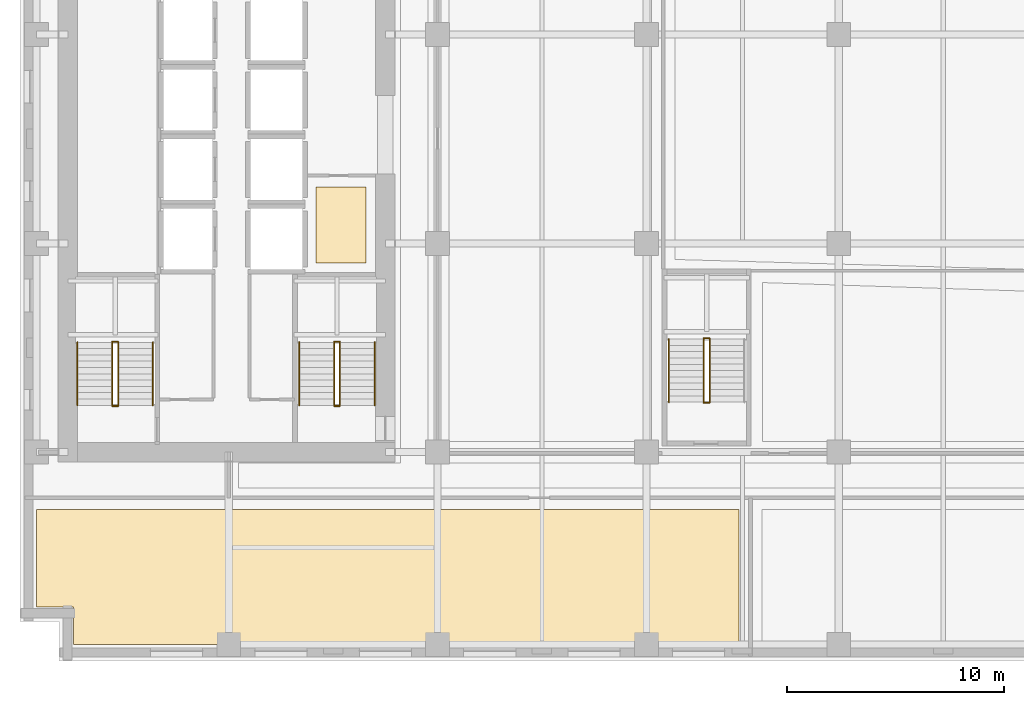
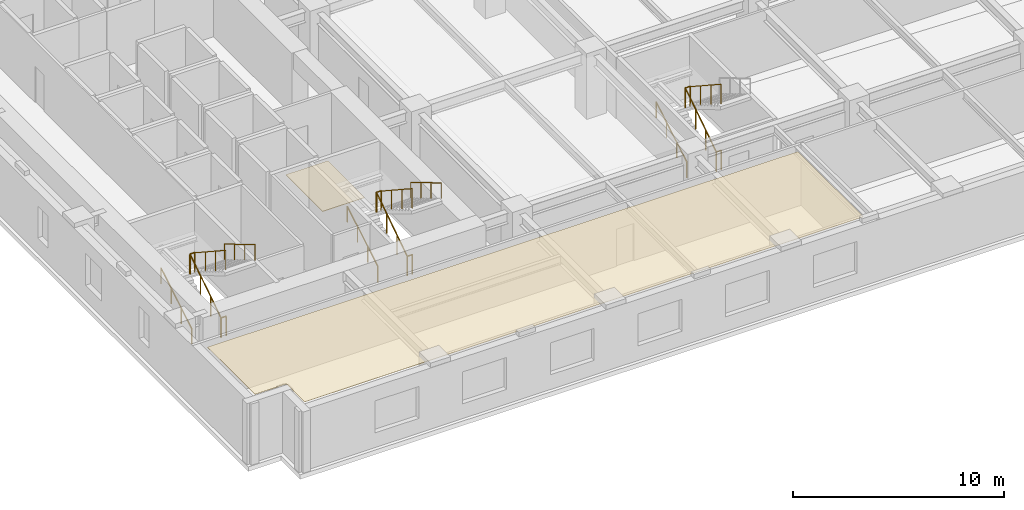
# One storey, part 11 of 15: 17 railings, 2 coverings.
"""IFC4 building model written with IfcOpenShell, lengths in metres."""

import ifcopenshell
import ifcopenshell.guid

model = None  # the IFC model being written
_history = None  # IfcOwnerHistory: only IFC2X3 demands one
_inside = {}  # id of a spatial element -> (the spatial element, [elements in it])
_under = {}  # id of a project, library or spatial element -> (it, [spatial elements below it])
_declared = {}  # id of a project -> (the project, [libraries it declares])
_typed = {}  # id of a type object -> (the type object, [elements of that type])
_made_of = {}  # id of a material, layer set ... -> (it, [elements and type objects made of it])


def new_model(schema):
    """Start an empty IFC model of exactly this schema.

    Asked for "IFC4X3", IfcOpenShell would pick the latest addendum, in which some entities
    have other attributes; the version numbers below select the first issue.
    IFC2X3 requires an IfcOwnerHistory on every rooted entity: one is made here for all.
    """
    global model, _history
    if schema == "IFC4X3":
        model = ifcopenshell.file(schema_version=(4, 3, 0, 0))
    else:
        model = ifcopenshell.file(schema=schema)
    _inside.clear()
    _under.clear()
    _declared.clear()
    _typed.clear()
    _made_of.clear()
    _history = None
    if model.schema == "IFC2X3":
        org = make("IfcOrganization", Name="unknown")
        user = make(
            "IfcPersonAndOrganization",
            ThePerson=make("IfcPerson", FamilyName="unknown"),
            TheOrganization=org,
        )
        app = make(
            "IfcApplication",
            ApplicationDeveloper=org,
            Version="unknown",
            ApplicationFullName="unknown",
            ApplicationIdentifier="unknown",
        )
        _history = make(
            "IfcOwnerHistory",
            OwningUser=user,
            OwningApplication=app,
            ChangeAction="ADDED",
            CreationDate=0,
        )
    return model


def make(cls, **values):
    """One entity of the class cls with the attributes given. An attribute that is None is left unset."""
    return model.create_entity(
        cls, **{name: value for name, value in values.items() if value is not None}
    )


def rooted(cls, **values):
    """An entity with a GlobalId (a new one), such as an element, a storey or a relation."""
    return make(cls, GlobalId=ifcopenshell.guid.new(), OwnerHistory=_history, **values)


def si_unit(unit_type, name, prefix=None):
    """IfcSIUnit, for example si_unit("LENGTHUNIT", "METRE", prefix="MILLI")."""
    return make("IfcSIUnit", UnitType=unit_type, Prefix=prefix, Name=name)


def assignment(units):
    """IfcUnitAssignment: the units of a project."""
    return None if units is None else make("IfcUnitAssignment", Units=units)


def point(xyz):
    """IfcCartesianPoint."""
    return None if xyz is None else make("IfcCartesianPoint", Coordinates=xyz)


def direction(xyz):
    """IfcDirection."""
    return None if xyz is None else make("IfcDirection", DirectionRatios=xyz)


def frame(location, z_axis=None, x_axis=None):
    """IfcAxis2Placement3D, a coordinate frame: its origin and axes. An axis left out is left unset."""
    return make(
        "IfcAxis2Placement3D",
        Location=point(location),
        Axis=direction(z_axis),
        RefDirection=direction(x_axis),
    )


def frame_2d(location, x_axis=None):
    """IfcAxis2Placement2D, a coordinate frame in the plane: its origin and x axis."""
    return make(
        "IfcAxis2Placement2D", Location=point(location), RefDirection=direction(x_axis)
    )


def origin():
    """The frame at (0, 0, 0) with its axes left unset."""
    return frame((0.0, 0.0, 0.0))


def origin_2d():
    """The frame at (0, 0) in the plane with its x axis left unset."""
    return frame_2d((0.0, 0.0))


def place(relative_to, where):
    """IfcLocalPlacement: puts the frame where relative to a parent placement (None: the world)."""
    return make(
        "IfcLocalPlacement", PlacementRelTo=relative_to, RelativePlacement=where
    )


def context(
    kind, dimensions, precision=None, world=None, true_north=None, identifier=None
):
    """IfcGeometricRepresentationContext, for example the 3D "Model" context."""
    return make(
        "IfcGeometricRepresentationContext",
        ContextIdentifier=identifier,
        ContextType=kind,
        CoordinateSpaceDimension=dimensions,
        Precision=precision,
        WorldCoordinateSystem=world,
        TrueNorth=true_north,
    )


def subcontext(parent, identifier, kind, view, scale=None):
    """IfcGeometricRepresentationSubContext, for example "Body" below "Model"."""
    return make(
        "IfcGeometricRepresentationSubContext",
        ContextIdentifier=identifier,
        ContextType=kind,
        ParentContext=parent,
        TargetScale=scale,
        TargetView=view,
    )


def project(units=None, contexts=None):
    """IfcProject with its units and contexts."""
    return rooted(
        "IfcProject",
        Name="project",
        RepresentationContexts=contexts,
        UnitsInContext=assignment(units),
    )


def spatial(cls, under=None, at=None, **own):
    """A site, building, storey or space (cls), placed at a placement, below another one or the project."""
    s = rooted(cls, ObjectPlacement=at, **own)
    if under is not None:
        _under.setdefault(under.id(), (under, []))[1].append(s)
    return s


def polyline(points):
    """IfcPolyline through the points."""
    return make("IfcPolyline", Points=[point(p) for p in points])


def profile(cls, at=None, kind="AREA", **sizes):
    """A parametric profile (cls). Its sizes go by their IFC names, for example OverallWidth=200.0."""
    return make(cls, ProfileType=kind, Position=at, **sizes)


def circle(**sizes):
    """IfcCircleProfileDef."""
    return profile("IfcCircleProfileDef", **sizes)


def outline(outer, holes=None, kind="AREA"):
    """IfcArbitraryClosedProfileDef: a profile drawn as a closed curve; with holes, ...WithVoids."""
    if holes is None:
        return make("IfcArbitraryClosedProfileDef", ProfileType=kind, OuterCurve=outer)
    return make(
        "IfcArbitraryProfileDefWithVoids",
        ProfileType=kind,
        OuterCurve=outer,
        InnerCurves=holes,
    )


def extrude(swept, where, along, depth):
    """IfcExtrudedAreaSolid: the profile swept, set in the frame where, extruded along a direction by depth."""
    return make(
        "IfcExtrudedAreaSolid",
        SweptArea=swept,
        Position=where,
        ExtrudedDirection=direction(along),
        Depth=depth,
    )


def shape(context_of_items, identifier, shape_type, items):
    """IfcShapeRepresentation: the items that make up one representation, for example the "Body"."""
    return make(
        "IfcShapeRepresentation",
        ContextOfItems=context_of_items,
        RepresentationIdentifier=identifier,
        RepresentationType=shape_type,
        Items=items,
    )


def material(Name=None, Category=None):
    """IfcMaterial."""
    return make("IfcMaterial", Name=Name, Category=Category)


def layer(
    of_material, thickness, ventilated=None, Name=None, Category=None, Priority=None
):
    """IfcMaterialLayer: one layer of a wall or slab, of a material (None: an air gap)."""
    return make(
        "IfcMaterialLayer",
        Material=of_material,
        LayerThickness=thickness,
        IsVentilated=ventilated,
        Name=Name,
        Category=Category,
        Priority=Priority,
    )


def layer_set(layers, Name=None):
    """IfcMaterialLayerSet."""
    return make("IfcMaterialLayerSet", MaterialLayers=layers, LayerSetName=Name)


def made_of(thing, what):
    """Note that an element or type object is made of a material, layer set ...; save() writes the relation."""
    if what is not None:
        _made_of.setdefault(what.id(), (what, []))[1].append(thing)
    return thing


def type_object(cls, material=None, **own):
    """A type object (cls), such as IfcWallType, which elements share."""
    return made_of(rooted(cls, **own), material)


def element(
    cls,
    number,
    at=None,
    inside=None,
    cuts=None,
    type_object=None,
    material=None,
    context=None,
    identifier="Body",
    shape_type=None,
    held_by="IfcProductDefinitionShape",
    body=None,
    shapes=None,
    **own,
):
    """One element of the class cls, such as IfcWall. Its Tag is "e" and its number.

    at: its placement. inside: the storey or other place that contains it. cuts: it is an
    opening in that element (IfcRelVoidsElement). A single representation is given by context,
    identifier, shape_type and body (its items); several are given by shapes. held_by: the class
    of the entity that holds the representations. save() writes the other relations.
    """
    e = rooted(cls, Tag="e%d" % number, ObjectPlacement=at, **own)
    if body is not None:
        shapes = [shape(context, identifier, shape_type, body)]
    if shapes is not None:
        e.Representation = make(held_by, Representations=shapes)
    if inside is not None:
        _inside.setdefault(inside.id(), (inside, []))[1].append(e)
    if cuts is not None:
        rooted(
            "IfcRelVoidsElement", RelatingBuildingElement=cuts, RelatedOpeningElement=e
        )
    if type_object is not None:
        _typed.setdefault(type_object.id(), (type_object, []))[1].append(e)
    return made_of(e, material)


def aggregate(whole, parts):
    """IfcRelAggregates: a whole, such as a stair, and the parts it consists of."""
    return rooted("IfcRelAggregates", RelatingObject=whole, RelatedObjects=parts)


def save(model, path):
    """Write the relations noted so far, then the file.

    IfcRelAggregates (storeys below a building ...), IfcRelContainedInSpatialStructure (elements
    in a storey), IfcRelDefinesByType, IfcRelAssociatesMaterial and IfcRelDeclares: one each for
    every whole, place, type object, material and project.
    """
    for whole, parts in _under.values():
        aggregate(whole, parts)
    for where, things in _inside.values():
        rooted(
            "IfcRelContainedInSpatialStructure",
            RelatedElements=things,
            RelatingStructure=where,
        )
    for kind, things in _typed.values():
        rooted("IfcRelDefinesByType", RelatedObjects=things, RelatingType=kind)
    for what, things in _made_of.values():
        rooted("IfcRelAssociatesMaterial", RelatedObjects=things, RelatingMaterial=what)
    for by, libraries in _declared.values():
        rooted("IfcRelDeclares", RelatingContext=by, RelatedDefinitions=libraries)
    model.write(path)


model = new_model("IFC4")

# Units and contexts
model_context = context("Model", 3, precision=1e-05, world=origin(), true_north=direction((0.0, 1.0)))
body_context = subcontext(model_context, "Body", "Model", "MODEL_VIEW")
ifc_project = project(units=[si_unit("LENGTHUNIT", "METRE"), si_unit("AREAUNIT", "SQUARE_METRE"), si_unit("VOLUMEUNIT", "CUBIC_METRE"), si_unit("PLANEANGLEUNIT", "RADIAN"), si_unit("MASSUNIT", "GRAM", prefix="KILO")], contexts=[model_context])

# Site, building, storey
site_placement = place(None, origin())
site = spatial("IfcSite", under=ifc_project, at=site_placement, CompositionType="ELEMENT")
building_placement = place(site_placement, origin())
building = spatial("IfcBuilding", under=site, at=building_placement, Name="Norrvale University Quadrangle", CompositionType="ELEMENT")
storey_placement = place(building_placement, frame((0.0, 0.0, 88.800048828125)))
storey = spatial("IfcBuildingStorey", under=building, at=storey_placement, Name="L22", CompositionType="ELEMENT", Elevation=88.800048828125)

# Coverings
ifc_material_1 = material(Name="Perforated Acoustic Mineral Ceiling")
ifc_layer_1 = layer(ifc_material_1, 0.02490234375, Name="Perforated Acoustic Mineral Ceiling")
ifc_layer_set_1 = layer_set([ifc_layer_1], Name="Perforated Acoustic Mineral Ceiling")
covering_type_1 = type_object("IfcCoveringType", Name="Covering Acoustic Ceiling 25", PredefinedType="CEILING", material=ifc_layer_set_1)
covering_1_placement = place(storey_placement, frame((0.0, 0.0, 3.514892578125)))
element("IfcCovering", 1, at=covering_1_placement, inside=storey, type_object=covering_type_1, Name="Acoustic Ceiling RM-L22-S01", PredefinedType="CEILING", context=body_context, shape_type="SweptSolid", body=[
    extrude(outline(polyline([(0.75, 6.969970703125), (33.070068359375, 6.969970703125), (33.070068359375, 0.75), (2.469970703125, 0.75), (2.469970703125, 2.469970703125), (0.75, 2.469970703125), (0.75, 6.969970703125)])), origin(), (0.0, 0.0, 1.0), 0.025146484375),
])
ifc_material_2 = material(Name="Polished Terrazzo Flooring")
ifc_layer_2 = layer(ifc_material_2, 0.02490234375, Name="Polished Terrazzo Flooring")
ifc_layer_set_2 = layer_set([ifc_layer_2], Name="Polished Terrazzo Flooring")
covering_type_2 = type_object("IfcCoveringType", Name="Covering Terrazzo Floor 30", PredefinedType="FLOORING", material=ifc_layer_set_2)
covering_2_placement = place(storey_placement, origin())
element("IfcCovering", 2, at=covering_2_placement, inside=storey, type_object=covering_type_2, Name="Terrazzo Flooring RM-L22-JAN", PredefinedType="FLOORING", context=body_context, shape_type="SweptSolid", body=[
    extrude(outline(polyline([(13.60009765625, 18.300048828125), (13.60009765625, 21.800048828125), (15.89990234375, 21.800048828125), (15.89990234375, 18.300048828125), (13.60009765625, 18.300048828125)])), origin(), (0.0, 0.0, 1.0), 0.02490234375),
])

# Railings
ifc_material_3 = material(Name="Steel 350W Painted Balustrade", Category="steel")
railing_type_1 = type_object("IfcRailingType", Name="Railing Stair Guard 1100", PredefinedType="GUARDRAIL", material=ifc_material_3)
for number, where, name in (
    (3, (4.239990234375, 11.719970703125, 0.0), "Stair Floor Well Guard ST-01 L22"),
    (4, (4.239990234375, 14.679931640625, 1.89990234375), "Stair Mid-Landing Slot Guard ST-01 L22"),
):
    element("IfcRailing", number, at=place(storey_placement, frame(where)), inside=storey, type_object=railing_type_1, Name=name, PredefinedType="GUARDRAIL", context=body_context, shape_type="SweptSolid", body=[
        extrude(circle(Radius=0.02392578125, at=origin_2d()), frame((0.0, 0.0, 1.1259765625), z_axis=(1.0, 0.0, 0.0), x_axis=(0.0, 1.0, 0.0)), (0.0, 0.0, 1.0), 0.27001953125),
        extrude(circle(Radius=0.02099609375, at=origin_2d()), origin(), (0.0, 0.0, 1.0), 1.101806640625),
        extrude(circle(Radius=0.02099609375, at=origin_2d()), frame((0.27001953125, 0.0, 0.0)), (0.0, 0.0, 1.0), 1.101806640625),
    ])
railing_1_placement = place(storey_placement, frame((4.239990234375, 11.75, 0.0)))
element("IfcRailing", 5, at=railing_1_placement, inside=storey, type_object=railing_type_1, Name="Stair Lower Flight Inner Guard ST-01 L22", PredefinedType="GUARDRAIL", context=body_context, shape_type="SweptSolid", body=[
    extrude(circle(Radius=0.02392578125, at=origin_2d()), frame((0.0, 0.0, 1.1259765625), z_axis=(0.0, 0.836465582154, 0.548019461216), x_axis=(-1.0, 0.0, 0.0)), (0.0, 0.0, 1.0), 3.466796875),
    extrude(circle(Radius=0.02099609375, at=origin_2d()), origin(), (0.0, 0.0, 1.0), 1.101806640625),
    extrude(circle(Radius=0.02099609375, at=origin_2d()), frame((0.0, 0.966552734375, 0.63330078125)), (0.0, 0.0, 1.0), 1.101806640625),
    extrude(circle(Radius=0.02099609375, at=origin_2d()), frame((0.0, 1.933349609375, 1.2666015625)), (0.0, 0.0, 1.0), 1.101806640625),
    extrude(circle(Radius=0.02099609375, at=origin_2d()), frame((0.0, 2.89990234375, 1.89990234375)), (0.0, 0.0, 1.0), 1.101806640625),
])
railing_2_placement = place(storey_placement, frame((4.510009765625, 14.64990234375, 1.89990234375)))
element("IfcRailing", 6, at=railing_2_placement, inside=storey, type_object=railing_type_1, Name="Stair Upper Flight Inner Guard ST-01 L22", PredefinedType="GUARDRAIL", context=body_context, shape_type="SweptSolid", body=[
    extrude(circle(Radius=0.02392578125, at=origin_2d()), frame((0.0, 0.0, 1.1259765625), z_axis=(0.0, -0.836433300813, 0.548068730445), x_axis=(1.0, 0.0, 0.0)), (0.0, 0.0, 1.0), 3.467041015625),
    extrude(circle(Radius=0.02099609375, at=origin_2d()), origin(), (0.0, 0.0, 1.0), 1.101806640625),
    extrude(circle(Radius=0.02099609375, at=origin_2d()), frame((0.0, -0.966552734375, 0.63330078125)), (0.0, 0.0, 1.0), 1.101806640625),
    extrude(circle(Radius=0.02099609375, at=origin_2d()), frame((0.0, -1.933349609375, 1.266845703125)), (0.0, 0.0, 1.0), 1.101806640625),
    extrude(circle(Radius=0.02099609375, at=origin_2d()), frame((0.0, -2.89990234375, 1.900146484375)), (0.0, 0.0, 1.0), 1.101806640625),
])
for number, where, name in (
    (7, (14.43994140625, 11.719970703125, 0.0), "Stair Floor Well Guard ST-03 L22"),
    (8, (14.43994140625, 14.679931640625, 1.89990234375), "Stair Mid-Landing Slot Guard ST-03 L22"),
):
    element("IfcRailing", number, at=place(storey_placement, frame(where)), inside=storey, type_object=railing_type_1, Name=name, PredefinedType="GUARDRAIL", context=body_context, shape_type="SweptSolid", body=[
        extrude(circle(Radius=0.02392578125, at=origin_2d()), frame((0.0, 0.0, 1.1259765625), z_axis=(1.0, 0.0, 0.0), x_axis=(0.0, 1.0, 0.0)), (0.0, 0.0, 1.0), 0.27001953125),
        extrude(circle(Radius=0.02099609375, at=origin_2d()), origin(), (0.0, 0.0, 1.0), 1.101806640625),
        extrude(circle(Radius=0.02099609375, at=origin_2d()), frame((0.27001953125, 0.0, 0.0)), (0.0, 0.0, 1.0), 1.101806640625),
    ])
railing_3_placement = place(storey_placement, frame((14.43994140625, 11.75, 0.0)))
element("IfcRailing", 9, at=railing_3_placement, inside=storey, type_object=railing_type_1, Name="Stair Lower Flight Inner Guard ST-03 L22", PredefinedType="GUARDRAIL", context=body_context, shape_type="SweptSolid", body=[
    extrude(circle(Radius=0.02392578125, at=origin_2d()), frame((0.0, 0.0, 1.1259765625), z_axis=(0.0, 0.836465582154, 0.548019461216), x_axis=(-1.0, 0.0, 0.0)), (0.0, 0.0, 1.0), 3.466796875),
    extrude(circle(Radius=0.02099609375, at=origin_2d()), origin(), (0.0, 0.0, 1.0), 1.101806640625),
    extrude(circle(Radius=0.02099609375, at=origin_2d()), frame((0.0, 0.966552734375, 0.63330078125)), (0.0, 0.0, 1.0), 1.101806640625),
    extrude(circle(Radius=0.02099609375, at=origin_2d()), frame((0.0, 1.933349609375, 1.2666015625)), (0.0, 0.0, 1.0), 1.101806640625),
    extrude(circle(Radius=0.02099609375, at=origin_2d()), frame((0.0, 2.89990234375, 1.89990234375)), (0.0, 0.0, 1.0), 1.101806640625),
])
railing_4_placement = place(storey_placement, frame((14.7099609375, 14.64990234375, 1.89990234375)))
element("IfcRailing", 10, at=railing_4_placement, inside=storey, type_object=railing_type_1, Name="Stair Upper Flight Inner Guard ST-03 L22", PredefinedType="GUARDRAIL", context=body_context, shape_type="SweptSolid", body=[
    extrude(circle(Radius=0.02392578125, at=origin_2d()), frame((0.0, 0.0, 1.1259765625), z_axis=(0.0, -0.836433300813, 0.548068730445), x_axis=(1.0, 0.0, 0.0)), (0.0, 0.0, 1.0), 3.467041015625),
    extrude(circle(Radius=0.02099609375, at=origin_2d()), origin(), (0.0, 0.0, 1.0), 1.101806640625),
    extrude(circle(Radius=0.02099609375, at=origin_2d()), frame((0.0, -0.966552734375, 0.63330078125)), (0.0, 0.0, 1.0), 1.101806640625),
    extrude(circle(Radius=0.02099609375, at=origin_2d()), frame((0.0, -1.933349609375, 1.266845703125)), (0.0, 0.0, 1.0), 1.101806640625),
    extrude(circle(Radius=0.02099609375, at=origin_2d()), frame((0.0, -2.89990234375, 1.900146484375)), (0.0, 0.0, 1.0), 1.101806640625),
])
for number, where, name in (
    (11, (31.43994140625, 11.8701171875, 0.0), "Stair Floor Well Guard ST-04 L22"),
    (12, (31.43994140625, 14.830078125, 1.89990234375), "Stair Mid-Landing Slot Guard ST-04 L22"),
):
    element("IfcRailing", number, at=place(storey_placement, frame(where)), inside=storey, type_object=railing_type_1, Name=name, PredefinedType="GUARDRAIL", context=body_context, shape_type="SweptSolid", body=[
        extrude(circle(Radius=0.02392578125, at=origin_2d()), frame((0.0, 0.0, 1.1259765625), z_axis=(1.0, 0.0, 0.0), x_axis=(0.0, 1.0, 0.0)), (0.0, 0.0, 1.0), 0.27001953125),
        extrude(circle(Radius=0.02099609375, at=origin_2d()), origin(), (0.0, 0.0, 1.0), 1.101806640625),
        extrude(circle(Radius=0.02099609375, at=origin_2d()), frame((0.27001953125, 0.0, 0.0)), (0.0, 0.0, 1.0), 1.101806640625),
    ])
railing_5_placement = place(storey_placement, frame((31.43994140625, 11.89990234375, 0.0)))
element("IfcRailing", 13, at=railing_5_placement, inside=storey, type_object=railing_type_1, Name="Stair Lower Flight Inner Guard ST-04 L22", PredefinedType="GUARDRAIL", context=body_context, shape_type="SweptSolid", body=[
    extrude(circle(Radius=0.02392578125, at=origin_2d()), frame((0.0, 0.0, 1.1259765625), z_axis=(0.0, 0.836486729621, 0.547987181573), x_axis=(-1.0, 0.0, 0.0)), (0.0, 0.0, 1.0), 3.467041015625),
    extrude(circle(Radius=0.02099609375, at=origin_2d()), origin(), (0.0, 0.0, 1.0), 1.101806640625),
    extrude(circle(Radius=0.02099609375, at=origin_2d()), frame((0.0, 0.966796875, 0.63330078125)), (0.0, 0.0, 1.0), 1.101806640625),
    extrude(circle(Radius=0.02099609375, at=origin_2d()), frame((0.0, 1.933349609375, 1.2666015625)), (0.0, 0.0, 1.0), 1.101806640625),
    extrude(circle(Radius=0.02099609375, at=origin_2d()), frame((0.0, 2.900146484375, 1.89990234375)), (0.0, 0.0, 1.0), 1.101806640625),
])
railing_6_placement = place(storey_placement, frame((31.7099609375, 14.800048828125, 1.89990234375)))
element("IfcRailing", 14, at=railing_6_placement, inside=storey, type_object=railing_type_1, Name="Stair Upper Flight Inner Guard ST-04 L22", PredefinedType="GUARDRAIL", context=body_context, shape_type="SweptSolid", body=[
    extrude(circle(Radius=0.02392578125, at=origin_2d()), frame((0.0, 0.0, 1.1259765625), z_axis=(0.0, -0.836454451266, 0.548036450392), x_axis=(1.0, 0.0, 0.0)), (0.0, 0.0, 1.0), 3.46728515625),
    extrude(circle(Radius=0.02099609375, at=origin_2d()), origin(), (0.0, 0.0, 1.0), 1.101806640625),
    extrude(circle(Radius=0.02099609375, at=origin_2d()), frame((0.0, -0.966796875, 0.63330078125)), (0.0, 0.0, 1.0), 1.101806640625),
    extrude(circle(Radius=0.02099609375, at=origin_2d()), frame((0.0, -1.933349609375, 1.266845703125)), (0.0, 0.0, 1.0), 1.101806640625),
    extrude(circle(Radius=0.02099609375, at=origin_2d()), frame((0.0, -2.900146484375, 1.900146484375)), (0.0, 0.0, 1.0), 1.101806640625),
])
ifc_material_4 = material(Name="Stainless Steel 316L Handrail", Category="steel")
railing_type_2 = type_object("IfcRailingType", Name="Railing Stair Handrail 920", PredefinedType="HANDRAIL", material=ifc_material_4)
railing_7_placement = place(storey_placement, frame((2.639892578125, 11.75, 0.172607421875)))
element("IfcRailing", 15, at=railing_7_placement, inside=storey, type_object=railing_type_2, Name="Stair Lower Flight Handrail ST-01 L22", PredefinedType="HANDRAIL", context=body_context, shape_type="SweptSolid", body=[
    extrude(circle(Radius=0.02392578125, at=origin_2d()), frame((0.0, 0.0, 0.89599609375), z_axis=(0.0, 0.859141464434, 0.511738159696), x_axis=(-1.0, 0.0, 0.0)), (0.0, 0.0, 1.0), 3.375244140625),
    extrude(circle(Radius=0.02099609375, at=origin_2d()), origin(), (0.0, 0.0, 1.0), 0.871826171875),
    extrude(circle(Radius=0.02099609375, at=origin_2d()), frame((0.0, 0.966552734375, 0.57568359375)), (0.0, 0.0, 1.0), 0.871826171875),
    extrude(circle(Radius=0.02099609375, at=origin_2d()), frame((0.0, 1.933349609375, 1.151611328125)), (0.0, 0.0, 1.0), 0.871826171875),
    extrude(circle(Radius=0.02099609375, at=origin_2d()), frame((0.0, 2.89990234375, 1.727294921875)), (0.0, 0.0, 1.0), 0.871826171875),
])
railing_8_placement = place(storey_placement, frame((6.110107421875, 14.64990234375, 2.07275390625)))
element("IfcRailing", 16, at=railing_8_placement, inside=storey, type_object=railing_type_2, Name="Stair Upper Flight Handrail ST-01 L22", PredefinedType="HANDRAIL", context=body_context, shape_type="SweptSolid", body=[
    extrude(circle(Radius=0.02392578125, at=origin_2d()), frame((0.0, 0.0, 0.89599609375), z_axis=(0.0, -0.859141464434, 0.511738159696), x_axis=(1.0, 0.0, 0.0)), (0.0, 0.0, 1.0), 3.375244140625),
    extrude(circle(Radius=0.02099609375, at=origin_2d()), origin(), (0.0, 0.0, 1.0), 0.871826171875),
    extrude(circle(Radius=0.02099609375, at=origin_2d()), frame((0.0, -0.966552734375, 0.57568359375)), (0.0, 0.0, 1.0), 0.871826171875),
    extrude(circle(Radius=0.02099609375, at=origin_2d()), frame((0.0, -1.933349609375, 1.151611328125)), (0.0, 0.0, 1.0), 0.871826171875),
    extrude(circle(Radius=0.02099609375, at=origin_2d()), frame((0.0, -2.89990234375, 1.727294921875)), (0.0, 0.0, 1.0), 0.871826171875),
])
railing_9_placement = place(storey_placement, frame((12.840087890625, 11.75, 0.172607421875)))
element("IfcRailing", 17, at=railing_9_placement, inside=storey, type_object=railing_type_2, Name="Stair Lower Flight Handrail ST-03 L22", PredefinedType="HANDRAIL", context=body_context, shape_type="SweptSolid", body=[
    extrude(circle(Radius=0.02392578125, at=origin_2d()), frame((0.0, 0.0, 0.89599609375), z_axis=(0.0, 0.859141464434, 0.511738159696), x_axis=(-1.0, 0.0, 0.0)), (0.0, 0.0, 1.0), 3.375244140625),
    extrude(circle(Radius=0.02099609375, at=origin_2d()), origin(), (0.0, 0.0, 1.0), 0.871826171875),
    extrude(circle(Radius=0.02099609375, at=origin_2d()), frame((0.0, 0.966552734375, 0.57568359375)), (0.0, 0.0, 1.0), 0.871826171875),
    extrude(circle(Radius=0.02099609375, at=origin_2d()), frame((0.0, 1.933349609375, 1.151611328125)), (0.0, 0.0, 1.0), 0.871826171875),
    extrude(circle(Radius=0.02099609375, at=origin_2d()), frame((0.0, 2.89990234375, 1.727294921875)), (0.0, 0.0, 1.0), 0.871826171875),
])
railing_10_placement = place(storey_placement, frame((16.31005859375, 14.64990234375, 2.07275390625)))
element("IfcRailing", 18, at=railing_10_placement, inside=storey, type_object=railing_type_2, Name="Stair Upper Flight Handrail ST-03 L22", PredefinedType="HANDRAIL", context=body_context, shape_type="SweptSolid", body=[
    extrude(circle(Radius=0.02392578125, at=origin_2d()), frame((0.0, 0.0, 0.89599609375), z_axis=(0.0, -0.859141464434, 0.511738159696), x_axis=(1.0, 0.0, 0.0)), (0.0, 0.0, 1.0), 3.375244140625),
    extrude(circle(Radius=0.02099609375, at=origin_2d()), origin(), (0.0, 0.0, 1.0), 0.871826171875),
    extrude(circle(Radius=0.02099609375, at=origin_2d()), frame((0.0, -0.966552734375, 0.57568359375)), (0.0, 0.0, 1.0), 0.871826171875),
    extrude(circle(Radius=0.02099609375, at=origin_2d()), frame((0.0, -1.933349609375, 1.151611328125)), (0.0, 0.0, 1.0), 0.871826171875),
    extrude(circle(Radius=0.02099609375, at=origin_2d()), frame((0.0, -2.89990234375, 1.727294921875)), (0.0, 0.0, 1.0), 0.871826171875),
])
railing_11_placement = place(storey_placement, frame((29.840087890625, 11.89990234375, 0.172607421875)))
element("IfcRailing", 19, at=railing_11_placement, inside=storey, type_object=railing_type_2, Name="Stair Lower Flight Handrail ST-04 L22", PredefinedType="HANDRAIL", context=body_context, shape_type="SweptSolid", body=[
    extrude(circle(Radius=0.02392578125, at=origin_2d()), frame((0.0, 0.0, 0.89599609375), z_axis=(0.0, 0.859160404282, 0.51170636083), x_axis=(-1.0, 0.0, 0.0)), (0.0, 0.0, 1.0), 3.37548828125),
    extrude(circle(Radius=0.02099609375, at=origin_2d()), origin(), (0.0, 0.0, 1.0), 0.871826171875),
    extrude(circle(Radius=0.02099609375, at=origin_2d()), frame((0.0, 0.966796875, 0.57568359375)), (0.0, 0.0, 1.0), 0.871826171875),
    extrude(circle(Radius=0.02099609375, at=origin_2d()), frame((0.0, 1.933349609375, 1.151611328125)), (0.0, 0.0, 1.0), 0.871826171875),
    extrude(circle(Radius=0.02099609375, at=origin_2d()), frame((0.0, 2.900146484375, 1.727294921875)), (0.0, 0.0, 1.0), 0.871826171875),
])

save(model, "model.ifc")
